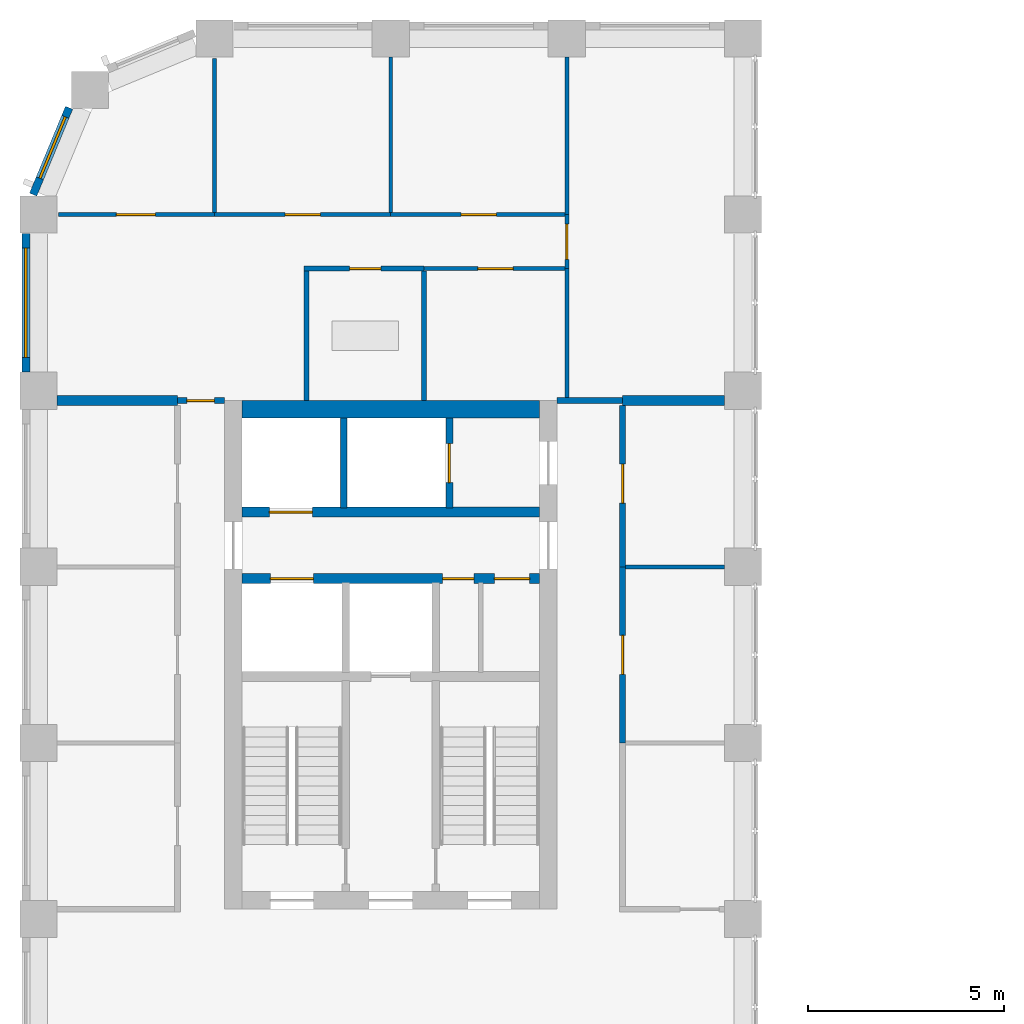
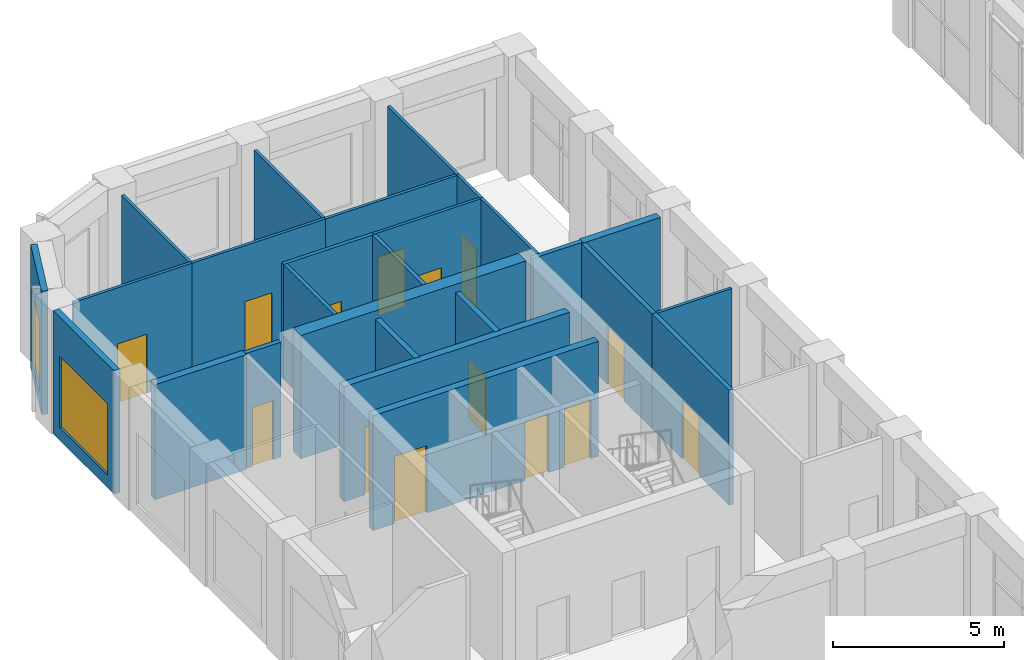
# One storey, part 13 of 19: 26 walls, 14 doors, 2 windows, 16 openings.
"""IFC4 building model written with IfcOpenShell, lengths in metres."""

from ifc_helpers import new_model, si_unit, direction, frame, frame_2d, origin, place, context, subcontext, project, spatial, rectangle, extrude, material, layer, layer_set, type_object, element, fill, save


model = new_model("IFC4")

# Units and contexts
model_context = context("Model", 3, precision=1e-05, world=origin(), true_north=direction((0.0, 1.0)))
body_context = subcontext(model_context, "Body", "Model", "MODEL_VIEW")
ifc_project = project(units=[si_unit("LENGTHUNIT", "METRE"), si_unit("AREAUNIT", "SQUARE_METRE"), si_unit("VOLUMEUNIT", "CUBIC_METRE"), si_unit("PLANEANGLEUNIT", "RADIAN"), si_unit("MASSUNIT", "GRAM", prefix="KILO")], contexts=[model_context])

# Site, building, storey
site_placement = place(None, origin())
site = spatial("IfcSite", under=ifc_project, at=site_placement, CompositionType="ELEMENT")
building_placement = place(site_placement, origin())
building = spatial("IfcBuilding", under=site, at=building_placement, Name="Girih Gate Residences", CompositionType="ELEMENT")
storey_placement = place(building_placement, frame((0.0, 0.0, 163.800048828125)))
storey = spatial("IfcBuildingStorey", under=building, at=storey_placement, Name="L45", CompositionType="ELEMENT", Elevation=163.800048828125)

# Walls
ifc_material_1 = material(Name="Gypsum board on steel studs", Category="steel")
ifc_layer_1 = layer(ifc_material_1, 0.25)
ifc_layer_set_1 = layer_set([ifc_layer_1], Name="Acoustic separating wall 250 mm")
wall_type_1 = type_object("IfcWallType", Name="Acoustic separating wall 250 mm", PredefinedType="PARTITIONING", material=ifc_layer_set_1)
wall_1_placement = place(storey_placement, frame((14.925048828125, 40.25, 0.0), z_axis=(0.0, 0.0, 1.0), x_axis=(1.0, 0.0, 0.0)))
element("IfcWall", 1, at=wall_1_placement, inside=storey, type_object=wall_type_1, Name="L45 partition", PredefinedType="PARTITIONING", context=body_context, shape_type="SweptSolid", body=[
    extrude(rectangle(XDim=2.599853515625, YDim=0.25, at=frame_2d((1.2998046875, 0.0))), origin(), (0.0, 0.0, 1.0), 4.099853515625),
])
wall_2_placement = place(storey_placement, frame((0.47509765625, 40.25, 0.0), z_axis=(0.0, 0.0, 1.0), x_axis=(1.0, 0.0, 0.0)))
element("IfcWall", 2, at=wall_2_placement, inside=storey, type_object=wall_type_1, Name="L45 partition", PredefinedType="PARTITIONING", context=body_context, shape_type="SweptSolid", body=[
    extrude(rectangle(XDim=3.074951171875, YDim=0.25, at=frame_2d((1.53759765625, 0.0))), origin(), (0.0, 0.0, 1.0), 4.099853515625),
])

# Wall, opening, door
ifc_layer_2 = layer(ifc_material_1, 0.14990234375)
ifc_layer_set_2 = layer_set([ifc_layer_2], Name="Compartment wall 150 mm")
wall_type_2 = type_object("IfcWallType", Name="Compartment wall 150 mm", PredefinedType="PARTITIONING", material=ifc_layer_set_2)
wall_3_placement = place(storey_placement, frame((3.550048828125, 40.25, 0.0), z_axis=(0.0, 0.0, 1.0), x_axis=(1.0, 0.0, 0.0)))
wall_3 = element("IfcWall", 3, at=wall_3_placement, inside=storey, type_object=wall_type_2, Name="L45 partition", PredefinedType="PARTITIONING", context=body_context, shape_type="SweptSolid", body=[
    extrude(rectangle(XDim=1.199951171875, YDim=0.14990234375, at=frame_2d((0.60009765625, 0.0))), origin(), (0.0, 0.0, 1.0), 4.099853515625),
])
opening_1_placement = place(wall_3_placement, frame((0.239990234375, 0.0, 0.0)))
opening_1 = element("IfcOpeningElement", 4, at=opening_1_placement, cuts=wall_3, Name="Opening A45-014", PredefinedType="OPENING", context=body_context, shape_type="SweptSolid", body=[
    extrude(rectangle(XDim=0.699951171875, YDim=2.10009765625, at=frame_2d((0.35009765625, 1.050048828125))), frame((0.0, 0.0849609375, 0.0), z_axis=(0.0, -1.0, 0.0), x_axis=(1.0, 0.0, 0.0)), (0.0, 0.0, 1.0), 0.169921875),
])
ifc_material_2 = material(Name="Timber", Category="wood")
door_type_1 = type_object("IfcDoorType", Name="Narrow door 700x2100", OperationType="NOTDEFINED", PredefinedType="DOOR", material=ifc_material_2)
door_1_placement = place(opening_1_placement, origin())
door_1 = element("IfcDoor", 5, at=door_1_placement, inside=storey, type_object=door_type_1, Name="Door A45-014", OperationType="SINGLE_SWING_LEFT", OverallHeight=2.10009765625, OverallWidth=0.699951171875, PredefinedType="DOOR", context=body_context, shape_type="SweptSolid", body=[
    extrude(rectangle(XDim=0.699951171875, YDim=2.10009765625, at=frame_2d((0.35009765625, 1.050048828125))), frame((0.0, 0.02490234375, 0.0), z_axis=(0.0, -1.0, 0.0), x_axis=(1.0, 0.0, 0.0)), (0.0, 0.0, 1.0), 0.050048828125),
])
fill(opening_1, door_1)

# Wall
wall_4_placement = place(storey_placement, frame((13.25, 40.25, 0.0), z_axis=(0.0, 0.0, 1.0), x_axis=(1.0, 0.0, 0.0)))
element("IfcWall", 6, at=wall_4_placement, inside=storey, type_object=wall_type_2, Name="L45 partition", PredefinedType="PARTITIONING", context=body_context, shape_type="SweptSolid", body=[
    extrude(rectangle(XDim=1.675048828125, YDim=0.14990234375, at=frame_2d((0.83740234375, 0.0))), origin(), (0.0, 0.0, 1.0), 4.099853515625),
])

# Wall, opening, door
wall_5_placement = place(storey_placement, frame((14.925048828125, 36.0, 0.0), z_axis=(0.0, 0.0, 1.0), x_axis=(0.0, -1.0, 0.0)))
wall_5 = element("IfcWall", 7, at=wall_5_placement, inside=storey, type_object=wall_type_2, Name="L45 partition", PredefinedType="PARTITIONING", context=body_context, shape_type="SweptSolid", body=[
    extrude(rectangle(XDim=4.5, YDim=0.14990234375, at=frame_2d((2.25, 0.0))), origin(), (0.0, 0.0, 1.0), 4.099853515625),
])
opening_2_placement = place(wall_5_placement, frame((1.75, 0.0, 0.0)))
opening_2 = element("IfcOpeningElement", 8, at=opening_2_placement, cuts=wall_5, Name="Opening A45-044", PredefinedType="OPENING", context=body_context, shape_type="SweptSolid", body=[
    extrude(rectangle(XDim=1.0, YDim=2.10009765625, at=frame_2d((0.5, 1.050048828125))), frame((0.0, 0.0849609375, 0.0), z_axis=(0.0, -1.0, 0.0), x_axis=(1.0, 0.0, 0.0)), (0.0, 0.0, 1.0), 0.169921875),
])
ifc_material_3 = material(Name="Timber, fire-rated core", Category="wood")
door_type_2 = type_object("IfcDoorType", Name="Amenity room door 1000x2100 FD30S", OperationType="NOTDEFINED", PredefinedType="DOOR", material=ifc_material_3)
door_2_placement = place(opening_2_placement, origin())
door_2 = element("IfcDoor", 9, at=door_2_placement, inside=storey, type_object=door_type_2, Name="Door A45-044", OperationType="SINGLE_SWING_RIGHT", OverallHeight=2.10009765625, OverallWidth=1.0, PredefinedType="DOOR", context=body_context, shape_type="SweptSolid", body=[
    extrude(rectangle(XDim=1.0, YDim=2.10009765625, at=frame_2d((0.5, 1.050048828125))), frame((0.0, 0.02490234375, 0.0), z_axis=(0.0, -1.0, 0.0), x_axis=(1.0, 0.0, 0.0)), (0.0, 0.0, 1.0), 0.050048828125),
])
fill(opening_2, door_2)

wall_6_placement = place(storey_placement, frame((14.925048828125, 40.125, 0.0), z_axis=(0.0, 0.0, 1.0), x_axis=(0.0, -1.0, 0.0)))
wall_6 = element("IfcWall", 10, at=wall_6_placement, inside=storey, type_object=wall_type_2, Name="L45 partition", PredefinedType="PARTITIONING", context=body_context, shape_type="SweptSolid", body=[
    extrude(rectangle(XDim=4.125, YDim=0.14990234375, at=frame_2d((2.0625, 0.0))), origin(), (0.0, 0.0, 1.0), 4.099853515625),
])
opening_3_placement = place(wall_6_placement, frame((1.5, 0.0, 0.0)))
opening_3 = element("IfcOpeningElement", 11, at=opening_3_placement, cuts=wall_6, Name="Opening A45-045", PredefinedType="OPENING", context=body_context, shape_type="SweptSolid", body=[
    extrude(rectangle(XDim=1.0, YDim=2.10009765625, at=frame_2d((0.5, 1.050048828125))), frame((0.0, 0.0849609375, 0.0), z_axis=(0.0, -1.0, 0.0), x_axis=(1.0, 0.0, 0.0)), (0.0, 0.0, 1.0), 0.169921875),
])
door_3_placement = place(opening_3_placement, origin())
door_3 = element("IfcDoor", 12, at=door_3_placement, inside=storey, type_object=door_type_2, Name="Door A45-045", OperationType="SINGLE_SWING_LEFT", OverallHeight=2.10009765625, OverallWidth=1.0, PredefinedType="DOOR", context=body_context, shape_type="SweptSolid", body=[
    extrude(rectangle(XDim=1.0, YDim=2.10009765625, at=frame_2d((0.5, 1.050048828125))), frame((0.0, 0.02490234375, 0.0), z_axis=(0.0, -1.0, 0.0), x_axis=(1.0, 0.0, 0.0)), (0.0, 0.0, 1.0), 0.050048828125),
])
fill(opening_3, door_3)

# Wall
ifc_material_4 = material(Name="Concrete C60/75", Category="concrete")
ifc_layer_3 = layer(ifc_material_4, 0.449951171875)
ifc_layer_set_3 = layer_set([ifc_layer_3], Name="Core wall RC 450 Concrete C60/75")
wall_type_3 = type_object("IfcWallType", Name="Core wall RC 450 Concrete C60/75", PredefinedType="SOLIDWALL", material=ifc_layer_set_3)
wall_7_placement = place(storey_placement, frame((5.199951171875, 40.02490234375, 0.0), z_axis=(0.0, 0.0, 1.0), x_axis=(1.0, 0.0, 0.0)))
element("IfcWall", 13, at=wall_7_placement, inside=storey, type_object=wall_type_3, Name="Core wall W-N L45", PredefinedType="SOLIDWALL", context=body_context, shape_type="SweptSolid", body=[
    extrude(rectangle(XDim=7.60009765625, YDim=0.449951171875, at=frame_2d((3.800048828125, 0.0))), origin(), (0.0, 0.0, 1.0), 4.39990234375),
])

# Wall, openings, doors
ifc_material_5 = material(Name="Concrete C40/50", Category="concrete")
ifc_layer_4 = layer(ifc_material_5, 0.25)
ifc_layer_set_4 = layer_set([ifc_layer_4], Name="Lift shaft wall 250")
wall_type_4 = type_object("IfcWallType", Name="Lift shaft wall 250", PredefinedType="SOLIDWALL", material=ifc_layer_set_4)
wall_8_placement = place(storey_placement, frame((5.199951171875, 35.699951171875, 0.0), z_axis=(0.0, 0.0, 1.0), x_axis=(1.0, 0.0, 0.0)))
wall_8 = element("IfcWall", 14, at=wall_8_placement, inside=storey, type_object=wall_type_4, Name="L45 W core wall H2", PredefinedType="SOLIDWALL", context=body_context, shape_type="SweptSolid", body=[
    extrude(rectangle(XDim=7.60009765625, YDim=0.25, at=frame_2d((3.800048828125, 0.0))), origin(), (0.0, 0.0, 1.0), 4.099853515625),
])
opening_4_placement = place(wall_8_placement, frame((0.72509765625, 0.0, 0.0)))
opening_4 = element("IfcOpeningElement", 15, at=opening_4_placement, cuts=wall_8, Name="Opening D-L45-W-005", PredefinedType="OPENING", context=body_context, shape_type="SweptSolid", body=[
    extrude(rectangle(XDim=1.10009765625, YDim=2.39990234375, at=frame_2d((0.550048828125, 1.199951171875))), frame((0.0, 0.135009765625, 0.0), z_axis=(0.0, -1.0, 0.0), x_axis=(1.0, 0.0, 0.0)), (0.0, 0.0, 1.0), 0.27001953125),
])
opening_5_placement = place(wall_8_placement, frame((5.125, 0.0, 0.0)))
opening_5 = element("IfcOpeningElement", 16, at=opening_5_placement, cuts=wall_8, Name="Opening D-L45-W-007", PredefinedType="OPENING", context=body_context, shape_type="SweptSolid", body=[
    extrude(rectangle(XDim=0.800048828125, YDim=2.10009765625, at=frame_2d((0.39990234375, 1.050048828125))), frame((0.0, 0.135009765625, 0.0), z_axis=(0.0, -1.0, 0.0), x_axis=(1.0, 0.0, 0.0)), (0.0, 0.0, 1.0), 0.27001953125),
])
opening_6_placement = place(wall_8_placement, frame((6.449951171875, 0.0, 0.0)))
opening_6 = element("IfcOpeningElement", 17, at=opening_6_placement, cuts=wall_8, Name="Opening D-L45-W-008", PredefinedType="OPENING", context=body_context, shape_type="SweptSolid", body=[
    extrude(rectangle(XDim=0.89990234375, YDim=2.10009765625, at=frame_2d((0.449951171875, 1.050048828125))), frame((0.0, 0.135009765625, 0.0), z_axis=(0.0, -1.0, 0.0), x_axis=(1.0, 0.0, 0.0)), (0.0, 0.0, 1.0), 0.27001953125),
])
ifc_material_6 = material(Name="Painted steel, fire-resisting", Category="steel")
door_type_3 = type_object("IfcDoorType", Name="Fire door 800x2100", OperationType="SINGLE_SWING_LEFT", PredefinedType="DOOR", material=ifc_material_6)
door_4_placement = place(opening_5_placement, origin())
door_4 = element("IfcDoor", 18, at=door_4_placement, inside=storey, type_object=door_type_3, Name="L45 W linen store door", OperationType="SINGLE_SWING_LEFT", OverallHeight=2.10009765625, OverallWidth=0.800048828125, PredefinedType="DOOR", context=body_context, shape_type="SweptSolid", body=[
    extrude(rectangle(XDim=0.800048828125, YDim=2.10009765625, at=frame_2d((0.39990234375, 1.050048828125))), frame((0.0, 0.02490234375, 0.0), z_axis=(0.0, -1.0, 0.0), x_axis=(1.0, 0.0, 0.0)), (0.0, 0.0, 1.0), 0.050048828125),
])
fill(opening_5, door_4)
door_type_4 = type_object("IfcDoorType", Name="Fire door 900x2100", OperationType="SINGLE_SWING_LEFT", PredefinedType="DOOR", material=ifc_material_6)
door_5_placement = place(opening_6_placement, origin())
door_5 = element("IfcDoor", 19, at=door_5_placement, inside=storey, type_object=door_type_4, Name="L45 W maintenance store door", OperationType="SINGLE_SWING_LEFT", OverallHeight=2.10009765625, OverallWidth=0.89990234375, PredefinedType="DOOR", context=body_context, shape_type="SweptSolid", body=[
    extrude(rectangle(XDim=0.89990234375, YDim=2.10009765625, at=frame_2d((0.449951171875, 1.050048828125))), frame((0.0, 0.02490234375, 0.0), z_axis=(0.0, -1.0, 0.0), x_axis=(1.0, 0.0, 0.0)), (0.0, 0.0, 1.0), 0.050048828125),
])
fill(opening_6, door_5)
ifc_material_7 = material(Name="Stainless steel", Category="steel")
door_type_5 = type_object("IfcDoorType", Name="Lift landing door 1100x2400", OperationType="SLIDING_TO_LEFT", PredefinedType="DOOR", material=ifc_material_7)
door_6_placement = place(opening_4_placement, origin())
door_6 = element("IfcDoor", 20, at=door_6_placement, inside=storey, type_object=door_type_5, Name="L45 lift HR-W1 landing door", OperationType="SLIDING_TO_LEFT", OverallHeight=2.39990234375, OverallWidth=1.10009765625, PredefinedType="DOOR", context=body_context, shape_type="SweptSolid", body=[
    extrude(rectangle(XDim=1.10009765625, YDim=2.39990234375, at=frame_2d((0.550048828125, 1.199951171875))), frame((0.0, 0.02490234375, 0.0), z_axis=(0.0, -1.0, 0.0), x_axis=(1.0, 0.0, 0.0)), (0.0, 0.0, 1.0), 0.050048828125),
])
fill(opening_4, door_6)

# Wall, opening, door
wall_9_placement = place(storey_placement, frame((5.199951171875, 37.39990234375, 0.0), z_axis=(0.0, 0.0, 1.0), x_axis=(1.0, 0.0, 0.0)))
wall_9 = element("IfcWall", 21, at=wall_9_placement, inside=storey, type_object=wall_type_4, Name="L45 W core wall H3", PredefinedType="SOLIDWALL", context=body_context, shape_type="SweptSolid", body=[
    extrude(rectangle(XDim=7.60009765625, YDim=0.25, at=frame_2d((3.800048828125, 0.0))), origin(), (0.0, 0.0, 1.0), 4.099853515625),
])
opening_7_placement = place(wall_9_placement, frame((0.699951171875, 0.0, 0.0)))
opening_7 = element("IfcOpeningElement", 22, at=opening_7_placement, cuts=wall_9, Name="Opening D-L45-W-003", PredefinedType="OPENING", context=body_context, shape_type="SweptSolid", body=[
    extrude(rectangle(XDim=1.10009765625, YDim=2.39990234375, at=frame_2d((0.550048828125, 1.199951171875))), frame((0.0, 0.135009765625, 0.0), z_axis=(0.0, -1.0, 0.0), x_axis=(1.0, 0.0, 0.0)), (0.0, 0.0, 1.0), 0.27001953125),
])
door_7_placement = place(opening_7_placement, origin())
door_7 = element("IfcDoor", 23, at=door_7_placement, inside=storey, type_object=door_type_5, Name="L45 lift LR-W1 landing door", OperationType="SLIDING_TO_LEFT", OverallHeight=2.39990234375, OverallWidth=1.10009765625, PredefinedType="DOOR", context=body_context, shape_type="SweptSolid", body=[
    extrude(rectangle(XDim=1.10009765625, YDim=2.39990234375, at=frame_2d((0.550048828125, 1.199951171875))), frame((0.0, 0.02490234375, 0.0), z_axis=(0.0, -1.0, 0.0), x_axis=(1.0, 0.0, 0.0)), (0.0, 0.0, 1.0), 0.050048828125),
])
fill(opening_7, door_7)

# Wall
ifc_layer_5 = layer(ifc_material_1, 0.10009765625)
ifc_layer_set_5 = layer_set([ifc_layer_5], Name="Partition 100 mm")
wall_type_5 = type_object("IfcWallType", Name="Partition 100 mm", PredefinedType="PARTITIONING", material=ifc_layer_set_5)
wall_10_placement = place(storey_placement, frame((9.0, 45.050048828125, 0.0), z_axis=(0.0, 0.0, 1.0), x_axis=(0.0, 1.0, 0.0)))
element("IfcWall", 24, at=wall_10_placement, inside=storey, type_object=wall_type_5, Name="L45 partition", PredefinedType="PARTITIONING", context=body_context, shape_type="SweptSolid", body=[
    extrude(rectangle(XDim=3.974853515625, YDim=0.10009765625, at=frame_2d((1.9873046875, 0.0))), origin(), (0.0, 0.0, 1.0), 4.099853515625),
])

# Wall, opening, door
wall_11_placement = place(storey_placement, frame((4.5, 45.0, 0.0), z_axis=(0.0, 0.0, 1.0), x_axis=(1.0, 0.0, 0.0)))
wall_11 = element("IfcWall", 25, at=wall_11_placement, inside=storey, type_object=wall_type_5, Name="L45 partition", PredefinedType="PARTITIONING", context=body_context, shape_type="SweptSolid", body=[
    extrude(rectangle(XDim=4.5, YDim=0.10009765625, at=frame_2d((2.25, 0.0))), origin(), (0.0, 0.0, 1.0), 4.099853515625),
])
opening_8_placement = place(wall_11_placement, frame((1.800048828125, 0.0, 0.0)))
opening_8 = element("IfcOpeningElement", 26, at=opening_8_placement, cuts=wall_11, Name="Opening A45-009", PredefinedType="OPENING", context=body_context, shape_type="SweptSolid", body=[
    extrude(rectangle(XDim=0.89990234375, YDim=2.10009765625, at=frame_2d((0.449951171875, 1.050048828125))), frame((0.0, 0.06005859375, 0.0), z_axis=(0.0, -1.0, 0.0), x_axis=(1.0, 0.0, 0.0)), (0.0, 0.0, 1.0), 0.1201171875),
])
door_type_6 = type_object("IfcDoorType", Name="Bedroom door 900x2100", OperationType="NOTDEFINED", PredefinedType="DOOR", material=ifc_material_2)
door_8_placement = place(opening_8_placement, origin())
door_8 = element("IfcDoor", 27, at=door_8_placement, inside=storey, type_object=door_type_6, Name="Door A45-009", OperationType="SINGLE_SWING_LEFT", OverallHeight=2.10009765625, OverallWidth=0.89990234375, PredefinedType="DOOR", context=body_context, shape_type="SweptSolid", body=[
    extrude(rectangle(XDim=0.89990234375, YDim=2.10009765625, at=frame_2d((0.449951171875, 1.050048828125))), frame((0.0, 0.02490234375, 0.0), z_axis=(0.0, -1.0, 0.0), x_axis=(1.0, 0.0, 0.0)), (0.0, 0.0, 1.0), 0.050048828125),
])
fill(opening_8, door_8)

# Walls
wall_12_placement = place(storey_placement, frame((4.5, 45.050048828125, 0.0), z_axis=(0.0, 0.0, 1.0), x_axis=(0.0, 1.0, 0.0)))
element("IfcWall", 28, at=wall_12_placement, inside=storey, type_object=wall_type_5, Name="L45 partition", PredefinedType="PARTITIONING", context=body_context, shape_type="SweptSolid", body=[
    extrude(rectangle(XDim=3.935791015625, YDim=0.10009765625, at=frame_2d((1.9677734375, 0.0))), origin(), (0.0, 0.0, 1.0), 4.099853515625),
])
wall_13_placement = place(storey_placement, frame((13.5, 45.0, 0.0), z_axis=(0.0, 0.0, 1.0), x_axis=(0.0, 1.0, 0.0)))
element("IfcWall", 29, at=wall_13_placement, inside=storey, type_object=wall_type_5, Name="L45 partition", PredefinedType="PARTITIONING", context=body_context, shape_type="SweptSolid", body=[
    extrude(rectangle(XDim=4.02490234375, YDim=0.10009765625, at=frame_2d((2.012451171875, 0.0))), origin(), (0.0, 0.0, 1.0), 4.099853515625),
])

# Wall, opening, door
wall_14_placement = place(storey_placement, frame((9.0, 45.0, 0.0), z_axis=(0.0, 0.0, 1.0), x_axis=(1.0, 0.0, 0.0)))
wall_14 = element("IfcWall", 30, at=wall_14_placement, inside=storey, type_object=wall_type_5, Name="L45 partition", PredefinedType="PARTITIONING", context=body_context, shape_type="SweptSolid", body=[
    extrude(rectangle(XDim=4.449951171875, YDim=0.10009765625, at=frame_2d((2.22509765625, 0.0))), origin(), (0.0, 0.0, 1.0), 4.099853515625),
])
opening_9_placement = place(wall_14_placement, frame((1.800048828125, 0.0, 0.0)))
opening_9 = element("IfcOpeningElement", 31, at=opening_9_placement, cuts=wall_14, Name="Opening A45-010", PredefinedType="OPENING", context=body_context, shape_type="SweptSolid", body=[
    extrude(rectangle(XDim=0.89990234375, YDim=2.10009765625, at=frame_2d((0.449951171875, 1.050048828125))), frame((0.0, 0.06005859375, 0.0), z_axis=(0.0, -1.0, 0.0), x_axis=(1.0, 0.0, 0.0)), (0.0, 0.0, 1.0), 0.1201171875),
])
door_9_placement = place(opening_9_placement, origin())
door_9 = element("IfcDoor", 32, at=door_9_placement, inside=storey, type_object=door_type_6, Name="Door A45-010", OperationType="SINGLE_SWING_RIGHT", OverallHeight=2.10009765625, OverallWidth=0.89990234375, PredefinedType="DOOR", context=body_context, shape_type="SweptSolid", body=[
    extrude(rectangle(XDim=0.89990234375, YDim=2.10009765625, at=frame_2d((0.449951171875, 1.050048828125))), frame((0.0, 0.02490234375, 0.0), z_axis=(0.0, -1.0, 0.0), x_axis=(1.0, 0.0, 0.0)), (0.0, 0.0, 1.0), 0.050048828125),
])
fill(opening_9, door_9)

wall_15_placement = place(storey_placement, frame((13.5, 45.0, 0.0), z_axis=(0.0, 0.0, 1.0), x_axis=(0.0, -1.0, 0.0)))
wall_15 = element("IfcWall", 33, at=wall_15_placement, inside=storey, type_object=wall_type_5, Name="L45 partition", PredefinedType="PARTITIONING", context=body_context, shape_type="SweptSolid", body=[
    extrude(rectangle(XDim=1.3798828125, YDim=0.10009765625, at=frame_2d((0.68994140625, 0.0))), origin(), (0.0, 0.0, 1.0), 4.099853515625),
])
opening_10_placement = place(wall_15_placement, frame((0.239990234375, 0.0, 0.0)))
opening_10 = element("IfcOpeningElement", 34, at=opening_10_placement, cuts=wall_15, Name="Opening A45-011", PredefinedType="OPENING", context=body_context, shape_type="SweptSolid", body=[
    extrude(rectangle(XDim=0.89990234375, YDim=2.10009765625, at=frame_2d((0.449951171875, 1.050048828125))), frame((0.0, 0.06005859375, 0.0), z_axis=(0.0, -1.0, 0.0), x_axis=(1.0, 0.0, 0.0)), (0.0, 0.0, 1.0), 0.1201171875),
])
door_10_placement = place(opening_10_placement, origin())
door_10 = element("IfcDoor", 35, at=door_10_placement, inside=storey, type_object=door_type_6, Name="Door A45-011", OperationType="SINGLE_SWING_LEFT", OverallHeight=2.10009765625, OverallWidth=0.89990234375, PredefinedType="DOOR", context=body_context, shape_type="SweptSolid", body=[
    extrude(rectangle(XDim=0.89990234375, YDim=2.10009765625, at=frame_2d((0.449951171875, 1.050048828125))), frame((0.0, 0.02490234375, 0.0), z_axis=(0.0, -1.0, 0.0), x_axis=(1.0, 0.0, 0.0)), (0.0, 0.0, 1.0), 0.050048828125),
])
fill(opening_10, door_10)

# Wall
wall_16_placement = place(storey_placement, frame((13.5, 40.324951171875, 0.0), z_axis=(0.0, 0.0, 1.0), x_axis=(0.0, 1.0, 0.0)))
element("IfcWall", 36, at=wall_16_placement, inside=storey, type_object=wall_type_5, Name="L45 partition", PredefinedType="PARTITIONING", context=body_context, shape_type="SweptSolid", body=[
    extrude(rectangle(XDim=3.295166015625, YDim=0.10009765625, at=frame_2d((1.6474609375, 0.0))), origin(), (0.0, 0.0, 1.0), 4.099853515625),
])

# Wall, opening, door
wall_17_placement = place(storey_placement, frame((13.449951171875, 43.6201171875, 0.0), z_axis=(0.0, 0.0, 1.0), x_axis=(-1.0, 0.0, 0.0)))
wall_17 = element("IfcWall", 37, at=wall_17_placement, inside=storey, type_object=wall_type_5, Name="L45 partition", PredefinedType="PARTITIONING", context=body_context, shape_type="SweptSolid", body=[
    extrude(rectangle(XDim=3.599609375, YDim=0.10009765625, at=frame_2d((1.7998046875, 0.0))), origin(), (0.0, 0.0, 1.0), 4.099853515625),
])
opening_11_placement = place(wall_17_placement, frame((1.32470703125, 0.0, 0.0)))
opening_11 = element("IfcOpeningElement", 38, at=opening_11_placement, cuts=wall_17, Name="Opening A45-012", PredefinedType="OPENING", context=body_context, shape_type="SweptSolid", body=[
    extrude(rectangle(XDim=0.89990234375, YDim=2.10009765625, at=frame_2d((0.449951171875, 1.050048828125))), frame((0.0, 0.06005859375, 0.0), z_axis=(0.0, -1.0, 0.0), x_axis=(1.0, 0.0, 0.0)), (0.0, 0.0, 1.0), 0.1201171875),
])
door_type_7 = type_object("IfcDoorType", Name="Kitchen door 900x2100", OperationType="NOTDEFINED", PredefinedType="DOOR", material=ifc_material_2)
door_11_placement = place(opening_11_placement, origin())
door_11 = element("IfcDoor", 39, at=door_11_placement, inside=storey, type_object=door_type_7, Name="Door A45-012", OperationType="SINGLE_SWING_LEFT", OverallHeight=2.10009765625, OverallWidth=0.89990234375, PredefinedType="DOOR", context=body_context, shape_type="SweptSolid", body=[
    extrude(rectangle(XDim=0.89990234375, YDim=2.10009765625, at=frame_2d((0.449951171875, 1.050048828125))), frame((0.0, 0.02490234375, 0.0), z_axis=(0.0, -1.0, 0.0), x_axis=(1.0, 0.0, 0.0)), (0.0, 0.0, 1.0), 0.050048828125),
])
fill(opening_11, door_11)

wall_18_placement = place(storey_placement, frame((0.51416015625, 45.0, 0.0), z_axis=(0.0, 0.0, 1.0), x_axis=(1.0, 0.0, 0.0)))
wall_18 = element("IfcWall", 40, at=wall_18_placement, inside=storey, type_object=wall_type_5, Name="L45 partition", PredefinedType="PARTITIONING", context=body_context, shape_type="SweptSolid", body=[
    extrude(rectangle(XDim=3.98583984375, YDim=0.10009765625, at=frame_2d((1.992919921875, 0.0))), origin(), (0.0, 0.0, 1.0), 4.099853515625),
])
opening_12_placement = place(wall_18_placement, frame((1.473388671875, 0.0, 0.0)))
opening_12 = element("IfcOpeningElement", 41, at=opening_12_placement, cuts=wall_18, Name="Opening A45-013", PredefinedType="OPENING", context=body_context, shape_type="SweptSolid", body=[
    extrude(rectangle(XDim=1.0, YDim=2.10009765625, at=frame_2d((0.5, 1.050048828125))), frame((0.0, 0.06005859375, 0.0), z_axis=(0.0, -1.0, 0.0), x_axis=(1.0, 0.0, 0.0)), (0.0, 0.0, 1.0), 0.1201171875),
])
door_type_8 = type_object("IfcDoorType", Name="Living room door 1000x2100", OperationType="NOTDEFINED", PredefinedType="DOOR", material=ifc_material_2)
door_12_placement = place(opening_12_placement, origin())
door_12 = element("IfcDoor", 42, at=door_12_placement, inside=storey, type_object=door_type_8, Name="Door A45-013", OperationType="SINGLE_SWING_LEFT", OverallHeight=2.10009765625, OverallWidth=1.0, PredefinedType="DOOR", context=body_context, shape_type="SweptSolid", body=[
    extrude(rectangle(XDim=1.0, YDim=2.10009765625, at=frame_2d((0.5, 1.050048828125))), frame((0.0, 0.02490234375, 0.0), z_axis=(0.0, -1.0, 0.0), x_axis=(1.0, 0.0, 0.0)), (0.0, 0.0, 1.0), 0.050048828125),
])
fill(opening_12, door_12)

# Wall
wall_19_placement = place(storey_placement, frame((15.0, 36.0, 0.0), z_axis=(0.0, 0.0, 1.0), x_axis=(1.0, 0.0, 0.0)))
element("IfcWall", 43, at=wall_19_placement, inside=storey, type_object=wall_type_5, Name="L45 partition", PredefinedType="PARTITIONING", context=body_context, shape_type="SweptSolid", body=[
    extrude(rectangle(XDim=2.52490234375, YDim=0.10009765625, at=frame_2d((1.262451171875, 0.0))), origin(), (0.0, 0.0, 1.0), 4.099853515625),
])

# Wall, opening, window
ifc_material_8 = material(Name="Precast concrete C50/60", Category="concrete")
ifc_layer_6 = layer(ifc_material_8, 0.06005859375, Name="Outer leaf")
ifc_material_9 = material(Name="Rigid PIR insulation")
ifc_layer_7 = layer(ifc_material_9, 0.090087890625, Name="Insulation")
ifc_material_10 = material(Name="Precast concrete C40/50", Category="concrete")
ifc_layer_8 = layer(ifc_material_10, 0.050048828125, Name="Inner leaf")
ifc_layer_set_6 = layer_set([ifc_layer_6, ifc_layer_7, ifc_layer_8], Name="Precast concrete C50/60 external wall 200")
wall_type_6 = type_object("IfcWallType", Name="Precast concrete C50/60 external wall 200", PredefinedType="SOLIDWALL", material=ifc_layer_set_6)
wall_20_placement = place(storey_placement, frame((-0.13916015625, 45.51318359375, 0.0), z_axis=(0.0, 0.0, 1.0), x_axis=(0.382680855588, 0.923880599843, 0.0)))
wall_20 = element("IfcWall", 44, at=wall_20_placement, inside=storey, type_object=wall_type_6, Name="External wall NW0013_0482.0", PredefinedType="SOLIDWALL", context=body_context, shape_type="SweptSolid", body=[
    extrude(rectangle(XDim=2.402587890625, YDim=0.199951171875, at=frame_2d((1.201171875, 0.0))), origin(), (0.0, 0.0, 1.0), 4.39990234375),
])
opening_13_placement = place(wall_20_placement, frame((0.451171875, 0.0, 0.449951171875)))
opening_13 = element("IfcOpeningElement", 45, at=opening_13_placement, cuts=wall_20, Name="Opening W-2F", PredefinedType="OPENING", context=body_context, shape_type="SweptSolid", body=[
    extrude(rectangle(XDim=1.699951171875, YDim=2.550048828125, at=frame_2d((0.85009765625, 1.27490234375))), frame((0.0, 0.10986328125, 0.0), z_axis=(0.0, -1.0, 0.0), x_axis=(1.0, 0.0, 0.0)), (0.0, 0.0, 1.0), 0.219970703125),
])
ifc_material_11 = material(Name="Double glazing in aluminium frame", Category="aluminium")
window_type_1 = type_object("IfcWindowType", Name="Window W-2F 1700x2550", PartitioningType="SINGLE_PANEL", PredefinedType="WINDOW", material=ifc_material_11)
window_1_placement = place(opening_13_placement, origin())
window_1 = element("IfcWindow", 46, at=window_1_placement, inside=storey, type_object=window_type_1, Name="Window W-2F NW0013_0482.0", OverallHeight=2.550048828125, OverallWidth=1.699951171875, PartitioningType="SINGLE_PANEL", PredefinedType="WINDOW", context=body_context, shape_type="SweptSolid", body=[
    extrude(rectangle(XDim=1.699951171875, YDim=2.550048828125, at=frame_2d((0.85009765625, 1.27490234375))), frame((0.0, 0.030029296875, 0.0), z_axis=(0.0, -1.0, 0.0), x_axis=(1.0, 0.0, 0.0)), (0.0, 0.0, 1.0), 0.06005859375),
])
fill(opening_13, window_1)

wall_21_placement = place(storey_placement, frame((-0.324951171875, 40.97509765625, 0.0), z_axis=(0.0, 0.0, 1.0), x_axis=(0.0, 1.0, 0.0)))
wall_21 = element("IfcWall", 47, at=wall_21_placement, inside=storey, type_object=wall_type_6, Name="External wall W0000_0450.0", PredefinedType="SOLIDWALL", context=body_context, shape_type="SweptSolid", body=[
    extrude(rectangle(XDim=3.5498046875, YDim=0.199951171875, at=frame_2d((1.77490234375, 0.0))), origin(), (0.0, 0.0, 1.0), 4.39990234375),
])
opening_14_placement = place(wall_21_placement, frame((0.375, 0.0, 0.449951171875)))
opening_14 = element("IfcOpeningElement", 48, at=opening_14_placement, cuts=wall_21, Name="Opening W-6A", PredefinedType="OPENING", context=body_context, shape_type="SweptSolid", body=[
    extrude(rectangle(XDim=2.800048828125, YDim=2.550048828125, at=frame_2d((1.39990234375, 1.27490234375))), frame((0.0, 0.10986328125, 0.0), z_axis=(0.0, -1.0, 0.0), x_axis=(1.0, 0.0, 0.0)), (0.0, 0.0, 1.0), 0.219970703125),
])
window_type_2 = type_object("IfcWindowType", Name="Window W-6A 2800x2550", PartitioningType="SINGLE_PANEL", PredefinedType="WINDOW", material=ifc_material_11)
window_2_placement = place(opening_14_placement, origin())
window_2 = element("IfcWindow", 49, at=window_2_placement, inside=storey, type_object=window_type_2, Name="Window W-6A W0000_0450.0", OverallHeight=2.550048828125, OverallWidth=2.800048828125, PartitioningType="SINGLE_PANEL", PredefinedType="WINDOW", context=body_context, shape_type="SweptSolid", body=[
    extrude(rectangle(XDim=2.800048828125, YDim=2.550048828125, at=frame_2d((1.39990234375, 1.27490234375))), frame((0.0, 0.030029296875, 0.0), z_axis=(0.0, -1.0, 0.0), x_axis=(1.0, 0.0, 0.0)), (0.0, 0.0, 1.0), 0.06005859375),
])
fill(opening_14, window_2)

# Wall
ifc_layer_9 = layer(ifc_material_5, 0.175048828125)
ifc_layer_set_7 = layer_set([ifc_layer_9], Name="Riser shaft wall 175")
wall_type_7 = type_object("IfcWallType", Name="Riser shaft wall 175", PredefinedType="SOLIDWALL", material=ifc_layer_set_7)
wall_22_placement = place(storey_placement, frame((7.800048828125, 37.5, 0.0), z_axis=(0.0, 0.0, 1.0), x_axis=(0.0, 1.0, 0.0)))
element("IfcWall", 50, at=wall_22_placement, inside=storey, type_object=wall_type_7, Name="L45 W core wall V1c", PredefinedType="SOLIDWALL", context=body_context, shape_type="SweptSolid", body=[
    extrude(rectangle(XDim=2.300048828125, YDim=0.175048828125, at=frame_2d((1.14990234375, 0.0))), origin(), (0.0, 0.0, 1.0), 4.099853515625),
])

# Wall, opening, door
wall_23_placement = place(storey_placement, frame((10.5, 37.5, 0.0), z_axis=(0.0, 0.0, 1.0), x_axis=(0.0, 1.0, 0.0)))
wall_23 = element("IfcWall", 51, at=wall_23_placement, inside=storey, type_object=wall_type_7, Name="L45 W core wall V2c", PredefinedType="SOLIDWALL", context=body_context, shape_type="SweptSolid", body=[
    extrude(rectangle(XDim=2.300048828125, YDim=0.175048828125, at=frame_2d((1.14990234375, 0.0))), origin(), (0.0, 0.0, 1.0), 4.099853515625),
])
opening_15_placement = place(wall_23_placement, frame((0.64990234375, 0.0, 0.0)))
opening_15 = element("IfcOpeningElement", 52, at=opening_15_placement, cuts=wall_23, Name="Opening D-L45-W-004", PredefinedType="OPENING", context=body_context, shape_type="SweptSolid", body=[
    extrude(rectangle(XDim=1.0, YDim=2.10009765625, at=frame_2d((0.5, 1.050048828125))), frame((0.0, 0.097412109375, 0.0), z_axis=(0.0, -1.0, 0.0), x_axis=(1.0, 0.0, 0.0)), (0.0, 0.0, 1.0), 0.195068359375),
])
ifc_material_12 = material(Name="Stainless steel, fire-resisting", Category="steel")
door_type_9 = type_object("IfcDoorType", Name="Firefighting lift landing door 1000x2100", OperationType="SLIDING_TO_LEFT", PredefinedType="DOOR", material=ifc_material_12)
door_13_placement = place(opening_15_placement, origin())
door_13 = element("IfcDoor", 53, at=door_13_placement, inside=storey, type_object=door_type_9, Name="L45 lift FF-W2 landing door", OperationType="SLIDING_TO_LEFT", OverallHeight=2.10009765625, OverallWidth=1.0, PredefinedType="DOOR", context=body_context, shape_type="SweptSolid", body=[
    extrude(rectangle(XDim=1.0, YDim=2.10009765625, at=frame_2d((0.5, 1.050048828125))), frame((0.0, 0.02490234375, 0.0), z_axis=(0.0, -1.0, 0.0), x_axis=(1.0, 0.0, 0.0)), (0.0, 0.0, 1.0), 0.050048828125),
])
fill(opening_15, door_13)

# Wall
ifc_layer_10 = layer(ifc_material_1, 0.125)
ifc_layer_set_8 = layer_set([ifc_layer_10], Name="Wet room wall 125 mm")
wall_type_8 = type_object("IfcWallType", Name="Wet room wall 125 mm", PredefinedType="PARTITIONING", material=ifc_layer_set_8)
wall_24_placement = place(storey_placement, frame((6.85009765625, 40.25, 0.0), z_axis=(0.0, 0.0, 1.0), x_axis=(0.0, 1.0, 0.0)))
element("IfcWall", 54, at=wall_24_placement, inside=storey, type_object=wall_type_8, Name="L45 partition", PredefinedType="PARTITIONING", context=body_context, shape_type="SweptSolid", body=[
    extrude(rectangle(XDim=3.3076171875, YDim=0.125, at=frame_2d((1.65380859375, 0.0))), origin(), (0.0, 0.0, 1.0), 4.099853515625),
])

# Wall, opening, door
wall_25_placement = place(storey_placement, frame((9.850341796875, 43.6201171875, 0.0), z_axis=(0.0, 0.0, 1.0), x_axis=(-1.0, 0.0, 0.0)))
wall_25 = element("IfcWall", 55, at=wall_25_placement, inside=storey, type_object=wall_type_8, Name="L45 partition", PredefinedType="PARTITIONING", context=body_context, shape_type="SweptSolid", body=[
    extrude(rectangle(XDim=3.062744140625, YDim=0.125, at=frame_2d((1.53125, 0.0))), origin(), (0.0, 0.0, 1.0), 4.099853515625),
])
opening_16_placement = place(wall_25_placement, frame((1.10009765625, 0.0, 0.0)))
opening_16 = element("IfcOpeningElement", 56, at=opening_16_placement, cuts=wall_25, Name="Opening A45-008", PredefinedType="OPENING", context=body_context, shape_type="SweptSolid", body=[
    extrude(rectangle(XDim=0.800048828125, YDim=2.10009765625, at=frame_2d((0.39990234375, 1.050048828125))), frame((0.0, 0.072509765625, 0.0), z_axis=(0.0, -1.0, 0.0), x_axis=(1.0, 0.0, 0.0)), (0.0, 0.0, 1.0), 0.14501953125),
])
door_type_10 = type_object("IfcDoorType", Name="Bathroom door 800x2100", OperationType="NOTDEFINED", PredefinedType="DOOR", material=ifc_material_2)
door_14_placement = place(opening_16_placement, origin())
door_14 = element("IfcDoor", 57, at=door_14_placement, inside=storey, type_object=door_type_10, Name="Door A45-008", OperationType="SINGLE_SWING_LEFT", OverallHeight=2.10009765625, OverallWidth=0.800048828125, PredefinedType="DOOR", context=body_context, shape_type="SweptSolid", body=[
    extrude(rectangle(XDim=0.800048828125, YDim=2.10009765625, at=frame_2d((0.39990234375, 1.050048828125))), frame((0.0, 0.02490234375, 0.0), z_axis=(0.0, -1.0, 0.0), x_axis=(1.0, 0.0, 0.0)), (0.0, 0.0, 1.0), 0.050048828125),
])
fill(opening_16, door_14)

# Wall
wall_26_placement = place(storey_placement, frame((9.85009765625, 40.25, 0.0), z_axis=(0.0, 0.0, 1.0), x_axis=(0.0, 1.0, 0.0)))
element("IfcWall", 58, at=wall_26_placement, inside=storey, type_object=wall_type_8, Name="L45 partition", PredefinedType="PARTITIONING", context=body_context, shape_type="SweptSolid", body=[
    extrude(rectangle(XDim=3.3076171875, YDim=0.125, at=frame_2d((1.65380859375, 0.0))), origin(), (0.0, 0.0, 1.0), 4.099853515625),
])

save(model, "model.ifc")
